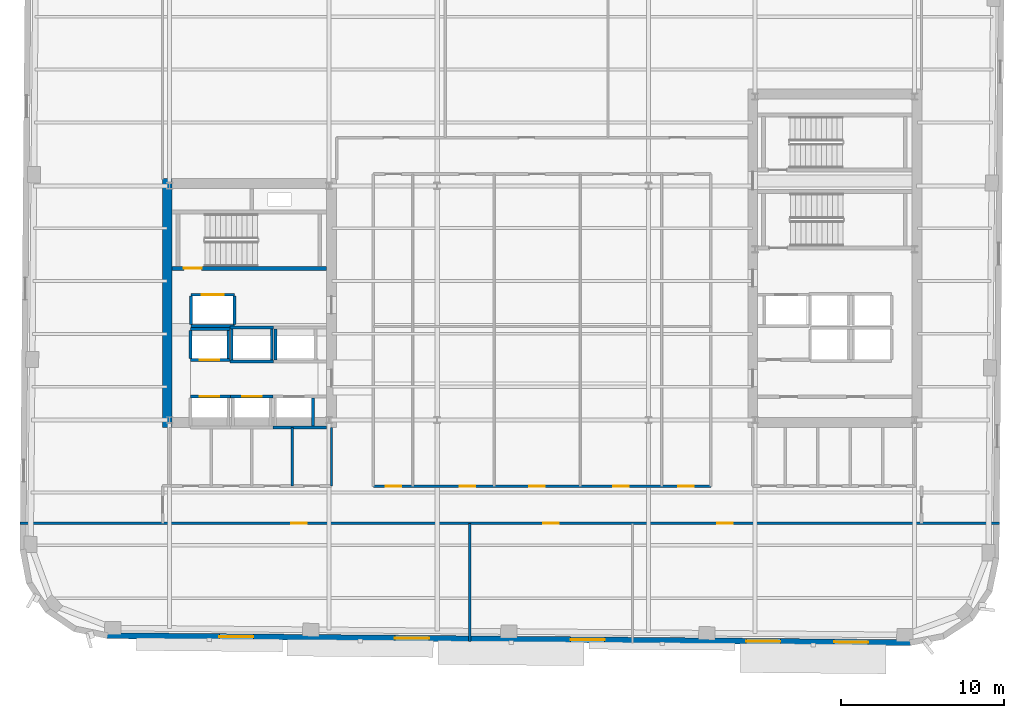
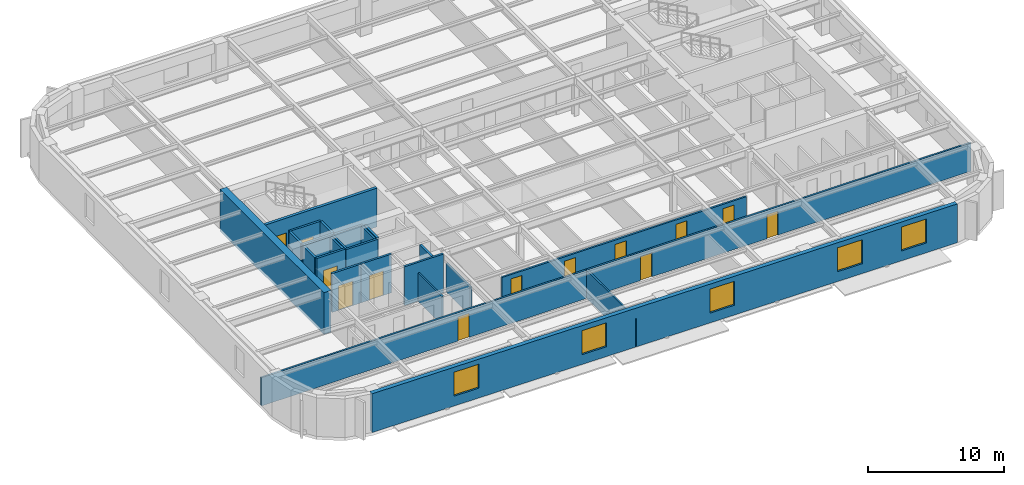
# One storey, part 4 of 12: 25 walls, 13 doors, 5 windows, 18 openings.
"""IFC4 building model written with IfcOpenShell, lengths in metres."""

from ifc_helpers import new_model, si_unit, direction, frame, frame_2d, origin, place, context, subcontext, project, spatial, rectangle, extrude, material, layer, layer_set, type_object, element, fill, save


model = new_model("IFC4")

# Units and contexts
model_context = context("Model", 3, precision=1e-05, world=origin(), true_north=direction((0.0, 1.0)))
body_context = subcontext(model_context, "Body", "Model", "MODEL_VIEW")
ifc_project = project(units=[si_unit("LENGTHUNIT", "METRE"), si_unit("AREAUNIT", "SQUARE_METRE"), si_unit("VOLUMEUNIT", "CUBIC_METRE"), si_unit("PLANEANGLEUNIT", "RADIAN"), si_unit("MASSUNIT", "GRAM", prefix="KILO")], contexts=[model_context])

# Site, building, storey
site_placement = place(None, origin())
site = spatial("IfcSite", under=ifc_project, at=site_placement, CompositionType="ELEMENT")
building_placement = place(site_placement, origin())
building = spatial("IfcBuilding", under=site, at=building_placement, Name="Kolvaren Arena Tower", CompositionType="ELEMENT")
storey_placement = place(building_placement, frame((0.0, 0.0, 165.949951171875)))
storey = spatial("IfcBuildingStorey", under=building, at=storey_placement, Name="L39", CompositionType="ELEMENT", Elevation=165.949951171875)

# Wall, openings, doors
ifc_material_1 = material(Name="Gypsum board acoustic assembly", Category="gypsum")
ifc_layer_1 = layer(ifc_material_1, 0.159912109375)
ifc_layer_set_1 = layer_set([ifc_layer_1], Name="Gypsum board acoustic assembly")
wall_type_1 = type_object("IfcWallType", Name="CORR-160", PredefinedType="PARTITIONING", material=ifc_layer_set_1)
wall_1_placement = place(storey_placement, frame((5.363525390625, 13.10009765625, 0.0), z_axis=(0.0, 0.0, 1.0), x_axis=(1.0, 0.0, 0.0)))
wall_1 = element("IfcWall", 1, at=wall_1_placement, inside=storey, type_object=wall_type_1, Name="Interior Partition Wall (L39)", PredefinedType="PARTITIONING", context=body_context, shape_type="SweptSolid", body=[
    extrude(rectangle(XDim=60.202392578125, YDim=0.159912109375, at=frame_2d((30.10107421875, 0.0))), origin(), (0.0, 0.0, 1.0), 2.5400390625),
])
opening_1_placement = place(wall_1_placement, frame((16.661376953125, 0.0, 0.0)))
opening_1 = element("IfcOpeningElement", 2, at=opening_1_placement, cuts=wall_1, Name="Opening D05", PredefinedType="OPENING", context=body_context, shape_type="SweptSolid", body=[
    extrude(rectangle(XDim=0.949951171875, YDim=2.14990234375, at=frame_2d((0.47509765625, 1.074951171875))), frame((0.0, 0.08984375, 0.0), z_axis=(0.0, -1.0, 0.0), x_axis=(1.0, 0.0, 0.0)), (0.0, 0.0, 1.0), 0.179931640625),
])
opening_2_placement = place(wall_1_placement, frame((32.161376953125, 0.0, 0.0)))
opening_2 = element("IfcOpeningElement", 3, at=opening_2_placement, cuts=wall_1, Name="Opening D05", PredefinedType="OPENING", context=body_context, shape_type="SweptSolid", body=[
    extrude(rectangle(XDim=0.949951171875, YDim=2.14990234375, at=frame_2d((0.47509765625, 1.074951171875))), frame((0.0, 0.08984375, 0.0), z_axis=(0.0, -1.0, 0.0), x_axis=(1.0, 0.0, 0.0)), (0.0, 0.0, 1.0), 0.179931640625),
])
opening_3_placement = place(wall_1_placement, frame((42.861328125, 0.0, 0.0)))
opening_3 = element("IfcOpeningElement", 4, at=opening_3_placement, cuts=wall_1, Name="Opening D05", PredefinedType="OPENING", context=body_context, shape_type="SweptSolid", body=[
    extrude(rectangle(XDim=0.949951171875, YDim=2.14990234375, at=frame_2d((0.47509765625, 1.074951171875))), frame((0.0, 0.08984375, 0.0), z_axis=(0.0, -1.0, 0.0), x_axis=(1.0, 0.0, 0.0)), (0.0, 0.0, 1.0), 0.179931640625),
])
ifc_material_2 = material(Name="Solid-core oak acoustic office door", Category="wood")
door_type_1 = type_object("IfcDoorType", Name="DOOR-OF-095", OperationType="NOTDEFINED", PredefinedType="DOOR", material=ifc_material_2)
door_1_placement = place(opening_1_placement, origin())
door_1 = element("IfcDoor", 5, at=door_1_placement, inside=storey, type_object=door_type_1, Name="Design Studio Door (L39)", OperationType="SINGLE_SWING_LEFT", OverallHeight=2.14990234375, OverallWidth=0.949951171875, PredefinedType="DOOR", context=body_context, shape_type="SweptSolid", body=[
    extrude(rectangle(XDim=0.949951171875, YDim=2.14990234375, at=frame_2d((0.47509765625, 1.074951171875))), frame((0.0, 0.02490234375, 0.0), z_axis=(0.0, -1.0, 0.0), x_axis=(1.0, 0.0, 0.0)), (0.0, 0.0, 1.0), 0.050048828125),
])
fill(opening_1, door_1)
door_2_placement = place(opening_2_placement, origin())
door_2 = element("IfcDoor", 6, at=door_2_placement, inside=storey, type_object=door_type_1, Name="Meeting Room Door (L39)", OperationType="SINGLE_SWING_RIGHT", OverallHeight=2.14990234375, OverallWidth=0.949951171875, PredefinedType="DOOR", context=body_context, shape_type="SweptSolid", body=[
    extrude(rectangle(XDim=0.949951171875, YDim=2.14990234375, at=frame_2d((0.47509765625, 1.074951171875))), frame((0.0, 0.02490234375, 0.0), z_axis=(0.0, -1.0, 0.0), x_axis=(1.0, 0.0, 0.0)), (0.0, 0.0, 1.0), 0.050048828125),
])
fill(opening_2, door_2)
door_3_placement = place(opening_3_placement, origin())
door_3 = element("IfcDoor", 7, at=door_3_placement, inside=storey, type_object=door_type_1, Name="Design Studio Door (L39)", OperationType="SINGLE_SWING_LEFT", OverallHeight=2.14990234375, OverallWidth=0.949951171875, PredefinedType="DOOR", context=body_context, shape_type="SweptSolid", body=[
    extrude(rectangle(XDim=0.949951171875, YDim=2.14990234375, at=frame_2d((0.47509765625, 1.074951171875))), frame((0.0, 0.02490234375, 0.0), z_axis=(0.0, -1.0, 0.0), x_axis=(1.0, 0.0, 0.0)), (0.0, 0.0, 1.0), 0.050048828125),
])
fill(opening_3, door_3)

wall_2_placement = place(storey_placement, frame((27.080078125, 15.3798828125, 0.0), z_axis=(0.0, 0.0, 1.0), x_axis=(1.0, 0.0, 0.0)))
wall_2 = element("IfcWall", 8, at=wall_2_placement, inside=storey, type_object=wall_type_1, Name="Interior Partition Wall (L39)", PredefinedType="PARTITIONING", context=body_context, shape_type="SweptSolid", body=[
    extrude(rectangle(XDim=20.739990234375, YDim=0.159912109375, at=frame_2d((10.3701171875, 0.0))), origin(), (0.0, 0.0, 1.0), 2.5400390625),
])
opening_4_placement = place(wall_2_placement, frame((0.7451171875, 0.0, 0.0)))
opening_4 = element("IfcOpeningElement", 9, at=opening_4_placement, cuts=wall_2, Name="Opening D05", PredefinedType="OPENING", context=body_context, shape_type="SweptSolid", body=[
    extrude(rectangle(XDim=0.949951171875, YDim=2.14990234375, at=frame_2d((0.47509765625, 1.074951171875))), frame((0.0, 0.08984375, 0.0), z_axis=(0.0, -1.0, 0.0), x_axis=(1.0, 0.0, 0.0)), (0.0, 0.0, 1.0), 0.179931640625),
])
opening_5_placement = place(wall_2_placement, frame((5.294921875, 0.0, 0.0)))
opening_5 = element("IfcOpeningElement", 10, at=opening_5_placement, cuts=wall_2, Name="Opening D05", PredefinedType="OPENING", context=body_context, shape_type="SweptSolid", body=[
    extrude(rectangle(XDim=0.949951171875, YDim=2.14990234375, at=frame_2d((0.47509765625, 1.074951171875))), frame((0.0, 0.08984375, 0.0), z_axis=(0.0, -1.0, 0.0), x_axis=(1.0, 0.0, 0.0)), (0.0, 0.0, 1.0), 0.179931640625),
])
opening_6_placement = place(wall_2_placement, frame((9.594970703125, 0.0, 0.0)))
opening_6 = element("IfcOpeningElement", 11, at=opening_6_placement, cuts=wall_2, Name="Opening D05", PredefinedType="OPENING", context=body_context, shape_type="SweptSolid", body=[
    extrude(rectangle(XDim=0.949951171875, YDim=2.14990234375, at=frame_2d((0.47509765625, 1.074951171875))), frame((0.0, 0.08984375, 0.0), z_axis=(0.0, -1.0, 0.0), x_axis=(1.0, 0.0, 0.0)), (0.0, 0.0, 1.0), 0.179931640625),
])
opening_7_placement = place(wall_2_placement, frame((14.7451171875, 0.0, 0.0)))
opening_7 = element("IfcOpeningElement", 12, at=opening_7_placement, cuts=wall_2, Name="Opening D05", PredefinedType="OPENING", context=body_context, shape_type="SweptSolid", body=[
    extrude(rectangle(XDim=0.949951171875, YDim=2.14990234375, at=frame_2d((0.47509765625, 1.074951171875))), frame((0.0, 0.08984375, 0.0), z_axis=(0.0, -1.0, 0.0), x_axis=(1.0, 0.0, 0.0)), (0.0, 0.0, 1.0), 0.179931640625),
])
opening_8_placement = place(wall_2_placement, frame((18.7451171875, 0.0, 0.0)))
opening_8 = element("IfcOpeningElement", 13, at=opening_8_placement, cuts=wall_2, Name="Opening D05", PredefinedType="OPENING", context=body_context, shape_type="SweptSolid", body=[
    extrude(rectangle(XDim=0.949951171875, YDim=2.14990234375, at=frame_2d((0.47509765625, 1.074951171875))), frame((0.0, 0.08984375, 0.0), z_axis=(0.0, -1.0, 0.0), x_axis=(1.0, 0.0, 0.0)), (0.0, 0.0, 1.0), 0.179931640625),
])
door_4_placement = place(opening_4_placement, origin())
door_4 = element("IfcDoor", 14, at=door_4_placement, inside=storey, type_object=door_type_1, Name="Meeting Room Door (L39)", OperationType="SINGLE_SWING_RIGHT", OverallHeight=2.14990234375, OverallWidth=0.949951171875, PredefinedType="DOOR", context=body_context, shape_type="SweptSolid", body=[
    extrude(rectangle(XDim=0.949951171875, YDim=2.14990234375, at=frame_2d((0.47509765625, 1.074951171875))), frame((0.0, 0.02490234375, 0.0), z_axis=(0.0, -1.0, 0.0), x_axis=(1.0, 0.0, 0.0)), (0.0, 0.0, 1.0), 0.050048828125),
])
fill(opening_4, door_4)
door_5_placement = place(opening_5_placement, origin())
door_5 = element("IfcDoor", 15, at=door_5_placement, inside=storey, type_object=door_type_1, Name="Client Lounge Door (L39)", OperationType="SINGLE_SWING_RIGHT", OverallHeight=2.14990234375, OverallWidth=0.949951171875, PredefinedType="DOOR", context=body_context, shape_type="SweptSolid", body=[
    extrude(rectangle(XDim=0.949951171875, YDim=2.14990234375, at=frame_2d((0.47509765625, 1.074951171875))), frame((0.0, 0.02490234375, 0.0), z_axis=(0.0, -1.0, 0.0), x_axis=(1.0, 0.0, 0.0)), (0.0, 0.0, 1.0), 0.050048828125),
])
fill(opening_5, door_5)
door_6_placement = place(opening_6_placement, origin())
door_6 = element("IfcDoor", 16, at=door_6_placement, inside=storey, type_object=door_type_1, Name="Breakout Pantry and Kitchen Door (L39)", OperationType="SINGLE_SWING_RIGHT", OverallHeight=2.14990234375, OverallWidth=0.949951171875, PredefinedType="DOOR", context=body_context, shape_type="SweptSolid", body=[
    extrude(rectangle(XDim=0.949951171875, YDim=2.14990234375, at=frame_2d((0.47509765625, 1.074951171875))), frame((0.0, 0.02490234375, 0.0), z_axis=(0.0, -1.0, 0.0), x_axis=(1.0, 0.0, 0.0)), (0.0, 0.0, 1.0), 0.050048828125),
])
fill(opening_6, door_6)
door_7_placement = place(opening_7_placement, origin())
door_7 = element("IfcDoor", 17, at=door_7_placement, inside=storey, type_object=door_type_1, Name="Meeting Room Door (L39)", OperationType="SINGLE_SWING_RIGHT", OverallHeight=2.14990234375, OverallWidth=0.949951171875, PredefinedType="DOOR", context=body_context, shape_type="SweptSolid", body=[
    extrude(rectangle(XDim=0.949951171875, YDim=2.14990234375, at=frame_2d((0.47509765625, 1.074951171875))), frame((0.0, 0.02490234375, 0.0), z_axis=(0.0, -1.0, 0.0), x_axis=(1.0, 0.0, 0.0)), (0.0, 0.0, 1.0), 0.050048828125),
])
fill(opening_7, door_7)
door_8_placement = place(opening_8_placement, origin())
door_8 = element("IfcDoor", 18, at=door_8_placement, inside=storey, type_object=door_type_1, Name="Client Lounge Door (L39)", OperationType="SINGLE_SWING_RIGHT", OverallHeight=2.14990234375, OverallWidth=0.949951171875, PredefinedType="DOOR", context=body_context, shape_type="SweptSolid", body=[
    extrude(rectangle(XDim=0.949951171875, YDim=2.14990234375, at=frame_2d((0.47509765625, 1.074951171875))), frame((0.0, 0.02490234375, 0.0), z_axis=(0.0, -1.0, 0.0), x_axis=(1.0, 0.0, 0.0)), (0.0, 0.0, 1.0), 0.050048828125),
])
fill(opening_8, door_8)

# Wall
ifc_material_3 = material(Name="Concrete 60 MPa", Category="concrete")
ifc_layer_2 = layer(ifc_material_3, 0.60009765625)
ifc_layer_set_2 = layer_set([ifc_layer_2], Name="Concrete 60 MPa")
wall_type_2 = type_object("IfcWallType", Name="CWALL-600", PredefinedType="SHEAR", material=ifc_layer_set_2)
wall_3_placement = place(storey_placement, frame((14.39990234375, 19.0, -0.27001953125), z_axis=(0.0, 0.0, 1.0), x_axis=(0.0, 1.0, 0.0)))
element("IfcWall", 19, at=wall_3_placement, inside=storey, type_object=wall_type_2, Name="Core Shear Wall WC-WEST (L39)", PredefinedType="SHEAR", context=body_context, shape_type="SweptSolid", body=[
    extrude(rectangle(XDim=15.300048828125, YDim=0.60009765625, at=frame_2d((7.64990234375, 0.0))), origin(), (0.0, 0.0, 1.0), 3.75),
])

# Wall, openings, windows
ifc_material_4 = material(Name="Precast concrete C50/60", Category="concrete")
ifc_layer_3 = layer(ifc_material_4, 0.360107421875)
ifc_layer_set_3 = layer_set([ifc_layer_3], Name="Precast concrete C50/60")
wall_type_3 = type_object("IfcWallType", Name="EXT-PIER2", PredefinedType="SOLIDWALL", material=ifc_layer_set_3)
wall_4_placement = place(storey_placement, frame((60.101806640625, 5.765380859375, 0.0), z_axis=(0.0, 0.0, 1.0), x_axis=(-0.999961955436, 0.008722825272, 0.0)))
wall_4 = element("IfcWall", 20, at=wall_4_placement, inside=storey, type_object=wall_type_3, Name="Exterior Precast Masonry-Frame Wall (L39)", PredefinedType="SOLIDWALL", context=body_context, shape_type="SweptSolid", body=[
    extrude(rectangle(XDim=49.400146484375, YDim=0.360107421875, at=frame_2d((24.7001953125, 0.0))), origin(), (0.0, 0.0, 1.0), 3.47998046875),
])
opening_9_placement = place(wall_4_placement, frame((2.60009765625, 0.0, 0.8798828125)))
opening_9 = element("IfcOpeningElement", 21, at=opening_9_placement, cuts=wall_4, Name="Opening W01", PredefinedType="OPENING", context=body_context, shape_type="SweptSolid", body=[
    extrude(rectangle(XDim=2.10009765625, YDim=2.14990234375, at=frame_2d((1.050048828125, 1.074951171875))), frame((0.0, 0.18994140625, 0.0), z_axis=(0.0, -1.0, 0.0), x_axis=(1.0, 0.0, 0.0)), (0.0, 0.0, 1.0), 0.380126953125),
])
opening_10_placement = place(wall_4_placement, frame((8.0, 0.0, 0.8798828125)))
opening_10 = element("IfcOpeningElement", 22, at=opening_10_placement, cuts=wall_4, Name="Opening W01", PredefinedType="OPENING", context=body_context, shape_type="SweptSolid", body=[
    extrude(rectangle(XDim=2.10009765625, YDim=2.14990234375, at=frame_2d((1.050048828125, 1.074951171875))), frame((0.0, 0.18994140625, 0.0), z_axis=(0.0, -1.0, 0.0), x_axis=(1.0, 0.0, 0.0)), (0.0, 0.0, 1.0), 0.380126953125),
])
opening_11_placement = place(wall_4_placement, frame((18.800048828125, 0.0, 0.8798828125)))
opening_11 = element("IfcOpeningElement", 23, at=opening_11_placement, cuts=wall_4, Name="Opening W01", PredefinedType="OPENING", context=body_context, shape_type="SweptSolid", body=[
    extrude(rectangle(XDim=2.10009765625, YDim=2.14990234375, at=frame_2d((1.050048828125, 1.074951171875))), frame((0.0, 0.18994140625, 0.0), z_axis=(0.0, -1.0, 0.0), x_axis=(1.0, 0.0, 0.0)), (0.0, 0.0, 1.0), 0.380126953125),
])
opening_12_placement = place(wall_4_placement, frame((29.60009765625, 0.0, 0.8798828125)))
opening_12 = element("IfcOpeningElement", 24, at=opening_12_placement, cuts=wall_4, Name="Opening W01", PredefinedType="OPENING", context=body_context, shape_type="SweptSolid", body=[
    extrude(rectangle(XDim=2.10009765625, YDim=2.14990234375, at=frame_2d((1.050048828125, 1.074951171875))), frame((0.0, 0.18994140625, 0.0), z_axis=(0.0, -1.0, 0.0), x_axis=(1.0, 0.0, 0.0)), (0.0, 0.0, 1.0), 0.380126953125),
])
opening_13_placement = place(wall_4_placement, frame((40.39990234375, 0.0, 0.8798828125)))
opening_13 = element("IfcOpeningElement", 25, at=opening_13_placement, cuts=wall_4, Name="Opening W01", PredefinedType="OPENING", context=body_context, shape_type="SweptSolid", body=[
    extrude(rectangle(XDim=2.10009765625, YDim=2.14990234375, at=frame_2d((1.050048828125, 1.074951171875))), frame((0.0, 0.18994140625, 0.0), z_axis=(0.0, -1.0, 0.0), x_axis=(1.0, 0.0, 0.0)), (0.0, 0.0, 1.0), 0.380126953125),
])
ifc_material_5 = material(Name="Triple-glazed low-E aluminium window", Category="aluminium")
window_type = type_object("IfcWindowType", Name="WIN-OFF-A", PartitioningType="DOUBLE_PANEL_VERTICAL", PredefinedType="WINDOW", material=ifc_material_5)
window_1_placement = place(opening_9_placement, origin())
window_1 = element("IfcWindow", 26, at=window_1_placement, inside=storey, type_object=window_type, Name="Punched Precast-Pier Window (L39)", OverallHeight=2.14990234375, OverallWidth=2.10009765625, PartitioningType="DOUBLE_PANEL_VERTICAL", PredefinedType="WINDOW", context=body_context, shape_type="SweptSolid", body=[
    extrude(rectangle(XDim=2.10009765625, YDim=2.14990234375, at=frame_2d((1.050048828125, 1.074951171875))), frame((0.0, 0.030029296875, 0.0), z_axis=(0.0, -1.0, 0.0), x_axis=(1.0, 0.0, 0.0)), (0.0, 0.0, 1.0), 0.06005859375),
])
fill(opening_9, window_1)
window_2_placement = place(opening_10_placement, origin())
window_2 = element("IfcWindow", 27, at=window_2_placement, inside=storey, type_object=window_type, Name="Punched Precast-Pier Window (L39)", OverallHeight=2.14990234375, OverallWidth=2.10009765625, PartitioningType="DOUBLE_PANEL_VERTICAL", PredefinedType="WINDOW", context=body_context, shape_type="SweptSolid", body=[
    extrude(rectangle(XDim=2.10009765625, YDim=2.14990234375, at=frame_2d((1.050048828125, 1.074951171875))), frame((0.0, 0.030029296875, 0.0), z_axis=(0.0, -1.0, 0.0), x_axis=(1.0, 0.0, 0.0)), (0.0, 0.0, 1.0), 0.06005859375),
])
fill(opening_10, window_2)
window_3_placement = place(opening_11_placement, origin())
window_3 = element("IfcWindow", 28, at=window_3_placement, inside=storey, type_object=window_type, Name="Punched Precast-Pier Window (L39)", OverallHeight=2.14990234375, OverallWidth=2.10009765625, PartitioningType="DOUBLE_PANEL_VERTICAL", PredefinedType="WINDOW", context=body_context, shape_type="SweptSolid", body=[
    extrude(rectangle(XDim=2.10009765625, YDim=2.14990234375, at=frame_2d((1.050048828125, 1.074951171875))), frame((0.0, 0.030029296875, 0.0), z_axis=(0.0, -1.0, 0.0), x_axis=(1.0, 0.0, 0.0)), (0.0, 0.0, 1.0), 0.06005859375),
])
fill(opening_11, window_3)
window_4_placement = place(opening_12_placement, origin())
window_4 = element("IfcWindow", 29, at=window_4_placement, inside=storey, type_object=window_type, Name="Punched Precast-Pier Window (L39)", OverallHeight=2.14990234375, OverallWidth=2.10009765625, PartitioningType="DOUBLE_PANEL_VERTICAL", PredefinedType="WINDOW", context=body_context, shape_type="SweptSolid", body=[
    extrude(rectangle(XDim=2.10009765625, YDim=2.14990234375, at=frame_2d((1.050048828125, 1.074951171875))), frame((0.0, 0.030029296875, 0.0), z_axis=(0.0, -1.0, 0.0), x_axis=(1.0, 0.0, 0.0)), (0.0, 0.0, 1.0), 0.06005859375),
])
fill(opening_12, window_4)
window_5_placement = place(opening_13_placement, origin())
window_5 = element("IfcWindow", 30, at=window_5_placement, inside=storey, type_object=window_type, Name="Punched Precast-Pier Window (L39)", OverallHeight=2.14990234375, OverallWidth=2.10009765625, PartitioningType="DOUBLE_PANEL_VERTICAL", PredefinedType="WINDOW", context=body_context, shape_type="SweptSolid", body=[
    extrude(rectangle(XDim=2.10009765625, YDim=2.14990234375, at=frame_2d((1.050048828125, 1.074951171875))), frame((0.0, 0.030029296875, 0.0), z_axis=(0.0, -1.0, 0.0), x_axis=(1.0, 0.0, 0.0)), (0.0, 0.0, 1.0), 0.06005859375),
])
fill(opening_13, window_5)

# Wall
ifc_material_6 = material(Name="Gypsum board partition assembly", Category="gypsum")
ifc_layer_4 = layer(ifc_material_6, 0.135009765625)
ifc_layer_set_4 = layer_set([ifc_layer_4], Name="Gypsum board partition assembly")
wall_type_4 = type_object("IfcWallType", Name="PART-135", PredefinedType="PARTITIONING", material=ifc_layer_set_4)
wall_5_placement = place(storey_placement, frame((33.0, 5.82177734375, 0.0), z_axis=(0.0, 0.0, 1.0), x_axis=(0.0, 1.0, 0.0)))
element("IfcWall", 31, at=wall_5_placement, inside=storey, type_object=wall_type_4, Name="Interior Partition Wall (L39)", PredefinedType="PARTITIONING", context=body_context, shape_type="SweptSolid", body=[
    extrude(rectangle(XDim=7.2783203125, YDim=0.135009765625, at=frame_2d((3.63916015625, 0.0))), origin(), (0.0, 0.0, 1.0), 2.5400390625),
])

# Wall, opening, door
ifc_material_7 = material(Name="Concrete 45 MPa", Category="concrete")
ifc_layer_5 = layer(ifc_material_7, 0.25)
ifc_layer_set_5 = layer_set([ifc_layer_5], Name="Concrete 45 MPa")
wall_type_5 = type_object("IfcWallType", Name="SHAFT-250", PredefinedType="SOLIDWALL", material=ifc_layer_set_5)
wall_6_placement = place(storey_placement, frame((24.199951171875, 28.780029296875, 0.0), z_axis=(0.0, 0.0, 1.0), x_axis=(-1.0, 0.0, 0.0)))
wall_6 = element("IfcWall", 32, at=wall_6_placement, inside=storey, type_object=wall_type_5, Name="Core Shaft Wall (L39)", PredefinedType="SOLIDWALL", context=body_context, shape_type="SweptSolid", body=[
    extrude(rectangle(XDim=9.5, YDim=0.239990234375, at=frame_2d((4.75, 0.0))), origin(), (0.0, 0.0, 1.0), 3.47998046875),
])
opening_14_placement = place(wall_6_placement, frame((7.679931640625, 0.0, 0.0)))
opening_14 = element("IfcOpeningElement", 33, at=opening_14_placement, cuts=wall_6, Name="Opening D03", PredefinedType="OPENING", context=body_context, shape_type="SweptSolid", body=[
    extrude(rectangle(XDim=1.10009765625, YDim=2.14990234375, at=frame_2d((0.550048828125, 1.074951171875))), frame((0.0, 0.1298828125, 0.0), z_axis=(0.0, -1.0, 0.0), x_axis=(1.0, 0.0, 0.0)), (0.0, 0.0, 1.0), 0.260009765625),
])
ifc_material_8 = material(Name="Fire-rated steel exit stair door", Category="steel")
door_type_2 = type_object("IfcDoorType", Name="DOOR-ST-110", OperationType="NOTDEFINED", PredefinedType="DOOR", material=ifc_material_8)
door_9_placement = place(opening_14_placement, origin())
door_9 = element("IfcDoor", 34, at=door_9_placement, inside=storey, type_object=door_type_2, Name="Stair ST-W1 Fire Door (L39)", OperationType="SINGLE_SWING_RIGHT", OverallHeight=2.14990234375, OverallWidth=1.10009765625, PredefinedType="DOOR", context=body_context, shape_type="SweptSolid", body=[
    extrude(rectangle(XDim=1.10009765625, YDim=2.14990234375, at=frame_2d((0.550048828125, 1.074951171875))), frame((0.0, 0.02490234375, 0.0), z_axis=(0.0, -1.0, 0.0), x_axis=(1.0, 0.0, 0.0)), (0.0, 0.0, 1.0), 0.050048828125),
])
fill(opening_14, door_9)

wall_7_placement = place(storey_placement, frame((15.844970703125, 20.905029296875, 0.0), z_axis=(0.0, 0.0, 1.0), x_axis=(1.0, 0.0, 0.0)))
wall_7 = element("IfcWall", 35, at=wall_7_placement, inside=storey, type_object=wall_type_5, Name="Core Shaft Wall (L39)", PredefinedType="SOLIDWALL", context=body_context, shape_type="SweptSolid", body=[
    extrude(rectangle(XDim=2.455078125, YDim=0.179931640625, at=frame_2d((1.2275390625, 0.0))), origin(), (0.0, 0.0, 1.0), 3.47998046875),
])
opening_15_placement = place(wall_7_placement, frame((0.554931640625, 0.0, 0.0)))
opening_15 = element("IfcOpeningElement", 36, at=opening_15_placement, cuts=wall_7, Name="Opening LD1", PredefinedType="OPENING", context=body_context, shape_type="SweptSolid", body=[
    extrude(rectangle(XDim=1.199951171875, YDim=2.199951171875, at=frame_2d((0.60009765625, 1.10009765625))), frame((0.0, 0.099853515625, 0.0), z_axis=(0.0, -1.0, 0.0), x_axis=(1.0, 0.0, 0.0)), (0.0, 0.0, 1.0), 0.199951171875),
])
ifc_material_9 = material(Name="Stainless steel passenger lift landing door", Category="steel")
door_type_3 = type_object("IfcDoorType", Name="DOOR-LD-120", OperationType="DOUBLE_DOOR_SLIDING", PredefinedType="DOOR", material=ifc_material_9)
door_10_placement = place(opening_15_placement, origin())
door_10 = element("IfcDoor", 37, at=door_10_placement, inside=storey, type_object=door_type_3, Name="Lift EL-MR1 Landing Door (L39)", OperationType="DOUBLE_DOOR_SLIDING", OverallHeight=2.199951171875, OverallWidth=1.199951171875, PredefinedType="DOOR", context=body_context, shape_type="SweptSolid", body=[
    extrude(rectangle(XDim=1.199951171875, YDim=2.199951171875, at=frame_2d((0.60009765625, 1.10009765625))), frame((0.0, 0.02490234375, 0.0), z_axis=(0.0, -1.0, 0.0), x_axis=(1.0, 0.0, 0.0)), (0.0, 0.0, 1.0), 0.050048828125),
])
fill(opening_15, door_10)

wall_8_placement = place(storey_placement, frame((18.300048828125, 20.905029296875, 0.0), z_axis=(0.0, 0.0, 1.0), x_axis=(1.0, 0.0, 0.0)))
wall_8 = element("IfcWall", 38, at=wall_8_placement, inside=storey, type_object=wall_type_5, Name="Core Shaft Wall (L39)", PredefinedType="SOLIDWALL", context=body_context, shape_type="SweptSolid", body=[
    extrude(rectangle(XDim=2.599853515625, YDim=0.179931640625, at=frame_2d((1.2998046875, 0.0))), origin(), (0.0, 0.0, 1.0), 3.47998046875),
])
opening_16_placement = place(wall_8_placement, frame((0.699951171875, 0.0, 0.0)))
opening_16 = element("IfcOpeningElement", 39, at=opening_16_placement, cuts=wall_8, Name="Opening LD1", PredefinedType="OPENING", context=body_context, shape_type="SweptSolid", body=[
    extrude(rectangle(XDim=1.199951171875, YDim=2.199951171875, at=frame_2d((0.60009765625, 1.10009765625))), frame((0.0, 0.099853515625, 0.0), z_axis=(0.0, -1.0, 0.0), x_axis=(1.0, 0.0, 0.0)), (0.0, 0.0, 1.0), 0.199951171875),
])
door_11_placement = place(opening_16_placement, origin())
door_11 = element("IfcDoor", 40, at=door_11_placement, inside=storey, type_object=door_type_3, Name="Lift EL-MR2 Landing Door (L39)", OperationType="DOUBLE_DOOR_SLIDING", OverallHeight=2.199951171875, OverallWidth=1.199951171875, PredefinedType="DOOR", context=body_context, shape_type="SweptSolid", body=[
    extrude(rectangle(XDim=1.199951171875, YDim=2.199951171875, at=frame_2d((0.60009765625, 1.10009765625))), frame((0.0, 0.02490234375, 0.0), z_axis=(0.0, -1.0, 0.0), x_axis=(1.0, 0.0, 0.0)), (0.0, 0.0, 1.0), 0.050048828125),
])
fill(opening_16, door_11)

# Walls
wall_9_placement = place(storey_placement, frame((20.89990234375, 18.9951171875, 0.0), z_axis=(0.0, 0.0, 1.0), x_axis=(1.0, 0.0, 0.0)))
element("IfcWall", 41, at=wall_9_placement, inside=storey, type_object=wall_type_5, Name="Core Shaft Wall (L39)", PredefinedType="SOLIDWALL", context=body_context, shape_type="SweptSolid", body=[
    extrude(rectangle(XDim=3.300048828125, YDim=0.179931640625, at=frame_2d((1.64990234375, 0.0))), origin(), (0.0, 0.0, 1.0), 3.47998046875),
])
wall_10_placement = place(storey_placement, frame((23.35498046875, 19.0849609375, 0.0), z_axis=(0.0, 0.0, 1.0), x_axis=(0.0, 1.0, 0.0)))
element("IfcWall", 42, at=wall_10_placement, inside=storey, type_object=wall_type_5, Name="Core Shaft Wall (L39)", PredefinedType="SOLIDWALL", context=body_context, shape_type="SweptSolid", body=[
    extrude(rectangle(XDim=1.72998046875, YDim=0.179931640625, at=frame_2d((0.864990234375, 0.0))), origin(), (0.0, 0.0, 1.0), 3.47998046875),
])
wall_11_placement = place(storey_placement, frame((15.844970703125, 25.054931640625, 0.0), z_axis=(0.0, 0.0, 1.0), x_axis=(1.0, 0.0, 0.0)))
element("IfcWall", 43, at=wall_11_placement, inside=storey, type_object=wall_type_5, Name="Core Shaft Wall (L39)", PredefinedType="SOLIDWALL", context=body_context, shape_type="SweptSolid", body=[
    extrude(rectangle(XDim=2.41748046875, YDim=0.179931640625, at=frame_2d((1.208740234375, 0.0))), origin(), (0.0, 0.0, 1.0), 3.47998046875),
])

# Wall, opening, door
wall_12_placement = place(storey_placement, frame((15.844970703125, 23.14501953125, 0.0), z_axis=(0.0, 0.0, 1.0), x_axis=(1.0, 0.0, 0.0)))
wall_12 = element("IfcWall", 44, at=wall_12_placement, inside=storey, type_object=wall_type_5, Name="Core Shaft Wall (L39)", PredefinedType="SOLIDWALL", context=body_context, shape_type="SweptSolid", body=[
    extrude(rectangle(XDim=2.41748046875, YDim=0.179931640625, at=frame_2d((1.208740234375, 0.0))), origin(), (0.0, 0.0, 1.0), 3.47998046875),
])
opening_17_placement = place(wall_12_placement, frame((0.554931640625, 0.0, 0.0)))
opening_17 = element("IfcOpeningElement", 45, at=opening_17_placement, cuts=wall_12, Name="Opening LD1", PredefinedType="OPENING", context=body_context, shape_type="SweptSolid", body=[
    extrude(rectangle(XDim=1.199951171875, YDim=2.199951171875, at=frame_2d((0.60009765625, 1.10009765625))), frame((0.0, 0.099853515625, 0.0), z_axis=(0.0, -1.0, 0.0), x_axis=(1.0, 0.0, 0.0)), (0.0, 0.0, 1.0), 0.199951171875),
])
door_12_placement = place(opening_17_placement, origin())
door_12 = element("IfcDoor", 46, at=door_12_placement, inside=storey, type_object=door_type_3, Name="Lift EL-MR4 Landing Door (L39)", OperationType="DOUBLE_DOOR_SLIDING", OverallHeight=2.199951171875, OverallWidth=1.199951171875, PredefinedType="DOOR", context=body_context, shape_type="SweptSolid", body=[
    extrude(rectangle(XDim=1.199951171875, YDim=2.199951171875, at=frame_2d((0.60009765625, 1.10009765625))), frame((0.0, 0.02490234375, 0.0), z_axis=(0.0, -1.0, 0.0), x_axis=(1.0, 0.0, 0.0)), (0.0, 0.0, 1.0), 0.050048828125),
])
fill(opening_17, door_12)

# Walls
for number, where, z_axis, x_axis, name in (
    (47, (15.844970703125, 23.235107421875, 0.0), (0.0, 0.0, 1.0), (0.0, 1.0, 0.0), "Core Shaft Wall (L39)"),
    (48, (18.155029296875, 23.235107421875, 0.0), (0.0, 0.0, 1.0), (0.0, 1.0, 0.0), "Core Shaft Wall (L39)"),
):
    element("IfcWall", number, at=place(storey_placement, frame(where, z_axis=z_axis, x_axis=x_axis)), inside=storey, type_object=wall_type_5, Name=name, PredefinedType="SOLIDWALL", context=body_context, shape_type="SweptSolid", body=[
        extrude(rectangle(XDim=1.72998046875, YDim=0.179931640625, at=frame_2d((0.864990234375, 0.0))), origin(), (0.0, 0.0, 1.0), 3.47998046875),
    ])
for number, where, z_axis, x_axis, name in (
    (49, (18.262451171875, 25.155029296875, 0.0), (0.0, 0.0, 1.0), (1.0, 0.0, 0.0), "Core Shaft Wall (L39)"),
    (50, (18.262451171875, 23.044921875, 0.0), (0.0, 0.0, 1.0), (1.0, 0.0, 0.0), "Core Shaft Wall (L39)"),
):
    element("IfcWall", number, at=place(storey_placement, frame(where, z_axis=z_axis, x_axis=x_axis)), inside=storey, type_object=wall_type_5, Name=name, PredefinedType="SOLIDWALL", context=body_context, shape_type="SweptSolid", body=[
        extrude(rectangle(XDim=2.6875, YDim=0.179931640625, at=frame_2d((1.34375, 0.0))), origin(), (0.0, 0.0, 1.0), 3.47998046875),
    ])
for number, where, z_axis, x_axis, name in (
    (51, (18.3701171875, 23.135009765625, 0.0), (0.0, 0.0, 1.0), (0.0, 1.0, 0.0), "Core Shaft Wall (L39)"),
    (52, (20.830078125, 23.135009765625, 0.0), (0.0, 0.0, 1.0), (0.0, 1.0, 0.0), "Core Shaft Wall (L39)"),
    (53, (21.070068359375, 23.135009765625, 0.0), (0.0, 0.0, 1.0), (0.0, 1.0, 0.0), "Core Shaft Wall (L39)"),
):
    element("IfcWall", number, at=place(storey_placement, frame(where, z_axis=z_axis, x_axis=x_axis)), inside=storey, type_object=wall_type_5, Name=name, PredefinedType="SOLIDWALL", context=body_context, shape_type="SweptSolid", body=[
        extrude(rectangle(XDim=1.929931640625, YDim=0.179931640625, at=frame_2d((0.96484375, 0.0))), origin(), (0.0, 0.0, 1.0), 3.47998046875),
    ])

# Wall, opening, door
wall_13_placement = place(storey_placement, frame((15.8701171875, 27.155029296875, 0.0), z_axis=(0.0, 0.0, 1.0), x_axis=(1.0, 0.0, 0.0)))
wall_13 = element("IfcWall", 54, at=wall_13_placement, inside=storey, type_object=wall_type_5, Name="Core Shaft Wall (L39)", PredefinedType="SOLIDWALL", context=body_context, shape_type="SweptSolid", body=[
    extrude(rectangle(XDim=2.659912109375, YDim=0.179931640625, at=frame_2d((1.330078125, 0.0))), origin(), (0.0, 0.0, 1.0), 3.47998046875),
])
opening_18_placement = place(wall_13_placement, frame((0.655029296875, 0.0, 0.0)))
opening_18 = element("IfcOpeningElement", 55, at=opening_18_placement, cuts=wall_13, Name="Opening LD2", PredefinedType="OPENING", context=body_context, shape_type="SweptSolid", body=[
    extrude(rectangle(XDim=1.35009765625, YDim=2.300048828125, at=frame_2d((0.675048828125, 1.14990234375))), frame((0.0, 0.099853515625, 0.0), z_axis=(0.0, -1.0, 0.0), x_axis=(1.0, 0.0, 0.0)), (0.0, 0.0, 1.0), 0.199951171875),
])
ifc_material_10 = material(Name="Stainless steel firefighter lift landing door", Category="steel")
door_type_4 = type_object("IfcDoorType", Name="DOOR-LD-135", OperationType="DOUBLE_DOOR_SLIDING", PredefinedType="DOOR", material=ifc_material_10)
door_13_placement = place(opening_18_placement, origin())
door_13 = element("IfcDoor", 56, at=door_13_placement, inside=storey, type_object=door_type_4, Name="Firefighter Lift FF-W1 Landing Door (L39)", OperationType="DOUBLE_DOOR_SLIDING", OverallHeight=2.300048828125, OverallWidth=1.35009765625, PredefinedType="DOOR", context=body_context, shape_type="SweptSolid", body=[
    extrude(rectangle(XDim=1.35009765625, YDim=2.300048828125, at=frame_2d((0.675048828125, 1.14990234375))), frame((0.0, 0.02490234375, 0.0), z_axis=(0.0, -1.0, 0.0), x_axis=(1.0, 0.0, 0.0)), (0.0, 0.0, 1.0), 0.050048828125),
])
fill(opening_18, door_13)

# Walls
wall_14_placement = place(storey_placement, frame((15.8701171875, 25.2451171875, 0.0), z_axis=(0.0, 0.0, 1.0), x_axis=(1.0, 0.0, 0.0)))
element("IfcWall", 57, at=wall_14_placement, inside=storey, type_object=wall_type_5, Name="Core Shaft Wall (L39)", PredefinedType="SOLIDWALL", context=body_context, shape_type="SweptSolid", body=[
    extrude(rectangle(XDim=2.659912109375, YDim=0.179931640625, at=frame_2d((1.330078125, 0.0))), origin(), (0.0, 0.0, 1.0), 3.47998046875),
])
for number, where, z_axis, x_axis, name in (
    (58, (15.8701171875, 25.3349609375, 0.0), (0.0, 0.0, 1.0), (0.0, 1.0, 0.0), "Core Shaft Wall (L39)"),
    (59, (18.530029296875, 25.3349609375, 0.0), (0.0, 0.0, 1.0), (0.0, 1.0, 0.0), "Core Shaft Wall (L39)"),
):
    element("IfcWall", number, at=place(storey_placement, frame(where, z_axis=z_axis, x_axis=x_axis)), inside=storey, type_object=wall_type_5, Name=name, PredefinedType="SOLIDWALL", context=body_context, shape_type="SweptSolid", body=[
        extrude(rectangle(XDim=1.72998046875, YDim=0.179931640625, at=frame_2d((0.864990234375, 0.0))), origin(), (0.0, 0.0, 1.0), 3.47998046875),
    ])
ifc_material_11 = material(Name="Moisture-resistant gypsum assembly", Category="gypsum")
ifc_layer_6 = layer(ifc_material_11, 0.14990234375)
ifc_layer_set_6 = layer_set([ifc_layer_6], Name="Moisture-resistant gypsum assembly")
wall_type_6 = type_object("IfcWallType", Name="WETW-150", PredefinedType="PARTITIONING", material=ifc_layer_set_6)
for number, where, z_axis, x_axis, name in (
    (60, (22.10009765625, 15.39990234375, 0.0), (0.0, 0.0, 1.0), (0.0, 1.0, 0.0), "Interior Partition Wall (L39)"),
    (61, (24.5, 15.39990234375, 0.0), (0.0, 0.0, 1.0), (0.0, 1.0, 0.0), "Interior Partition Wall (L39)"),
):
    element("IfcWall", number, at=place(storey_placement, frame(where, z_axis=z_axis, x_axis=x_axis)), inside=storey, type_object=wall_type_6, Name=name, PredefinedType="PARTITIONING", context=body_context, shape_type="SweptSolid", body=[
        extrude(rectangle(XDim=3.580078125, YDim=0.14990234375, at=frame_2d((1.7900390625, 0.0))), origin(), (0.0, 0.0, 1.0), 2.5400390625),
    ])

save(model, "model.ifc")
